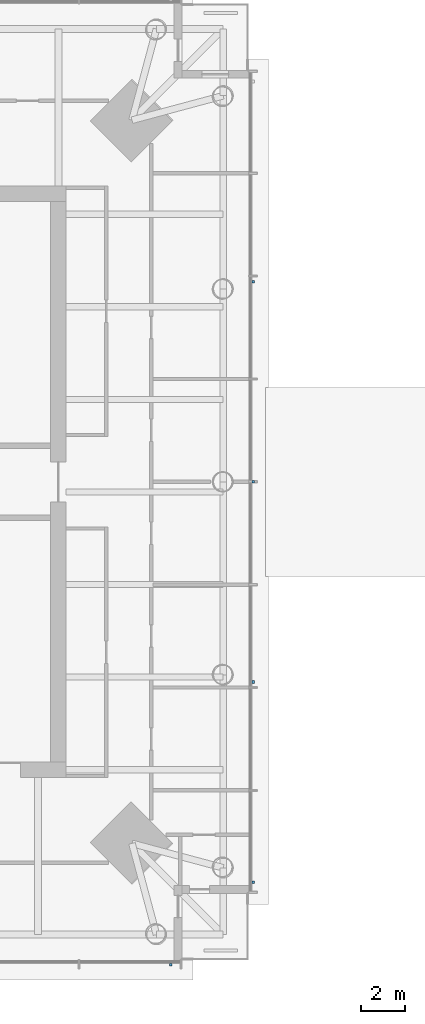
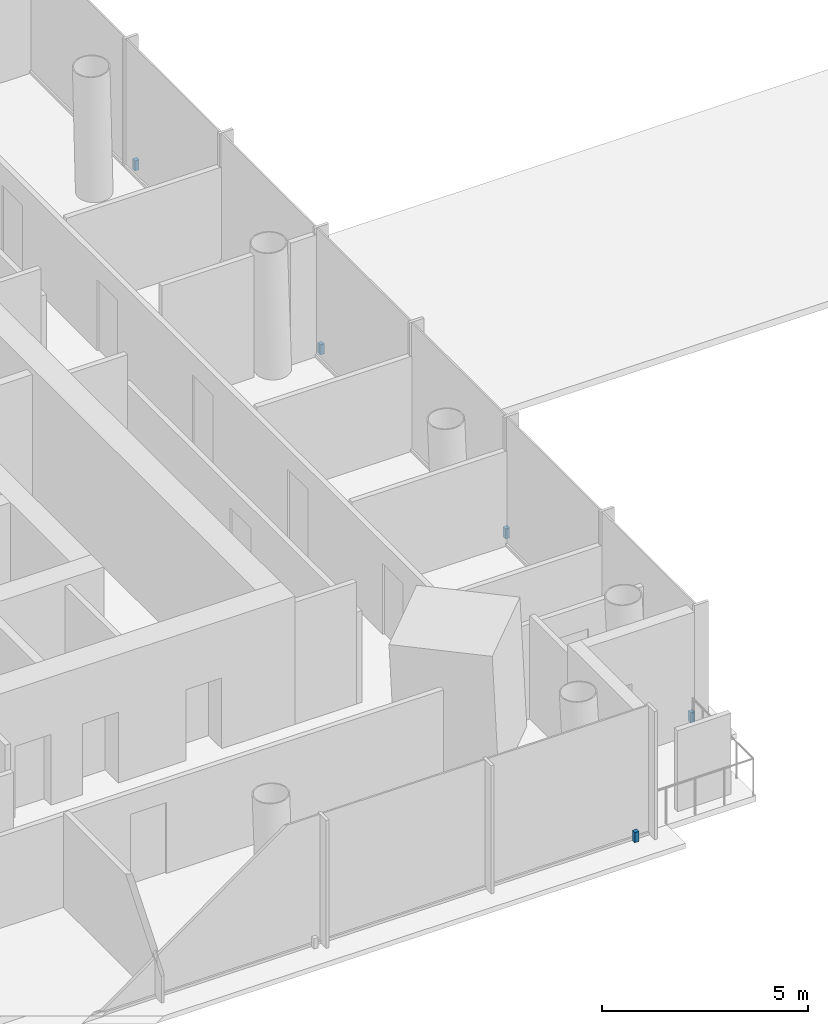
# One storey, part 11 of 16: 5 discrete accessories.
"""IFC4 building model written with IfcOpenShell, lengths in metres."""

from ifc_helpers import new_model, si_unit, direction, frame, origin, origin_2d, place, context, subcontext, project, spatial, rectangle, extrude, material, type_object, element, save


model = new_model("IFC4")

# Units and contexts
model_context = context("Model", 3, precision=1e-05, world=origin(), true_north=direction((0.0, 1.0)))
body_context = subcontext(model_context, "Body", "Model", "MODEL_VIEW")
ifc_project = project(units=[si_unit("LENGTHUNIT", "METRE"), si_unit("AREAUNIT", "SQUARE_METRE"), si_unit("VOLUMEUNIT", "CUBIC_METRE"), si_unit("PLANEANGLEUNIT", "RADIAN"), si_unit("MASSUNIT", "GRAM", prefix="KILO")], contexts=[model_context])

# Site, building, storey
site_placement = place(None, origin())
site = spatial("IfcSite", under=ifc_project, at=site_placement, CompositionType="ELEMENT")
building_placement = place(site_placement, origin())
building = spatial("IfcBuilding", under=site, at=building_placement, Name="Ostroluk Exchange", CompositionType="ELEMENT")
storey_placement = place(building_placement, frame((0.0, 0.0, 135.0)))
storey = spatial("IfcBuildingStorey", under=building, at=storey_placement, Name="L34", CompositionType="ELEMENT", Elevation=135.0)

# Discrete accessories
ifc_material = material(Name="Stainless steel", Category="steel")
discrete_accessory_type = type_object("IfcDiscreteAccessoryType", Name="Fall-arrest anchor PN-EN 795 type C", PredefinedType="USERDEFINED", material=ifc_material)
for number, where, z_axis, x_axis, name in (
    (1, (63.0, 24.2900390625, 0.0), (0.0, 0.0, 1.0), (1.0, 0.0, 0.0), "Fall-arrest anchor L34 south 5"),
    (2, (66.7099609375, 28.0, 0.0), (0.0, 0.0, 1.0), (1.0, 0.0, 0.0), "Fall-arrest anchor L34 east 1"),
    (3, (66.7099609375, 37.0, 0.0), (0.0, 0.0, 1.0), (1.0, 0.0, 0.0), "Fall-arrest anchor L34 east 2"),
    (4, (66.7099609375, 46.0, 0.0), (0.0, 0.0, 1.0), (1.0, 0.0, 0.0), "Fall-arrest anchor L34 east 3"),
    (5, (66.7099609375, 55.0, 0.0), (0.0, 0.0, 1.0), (1.0, 0.0, 0.0), "Fall-arrest anchor L34 east 4"),
):
    element("IfcDiscreteAccessory", number, at=place(storey_placement, frame(where, z_axis=z_axis, x_axis=x_axis)), inside=storey, type_object=discrete_accessory_type, Name=name, ObjectType="FALL ARREST ANCHOR", PredefinedType="USERDEFINED", context=body_context, shape_type="SweptSolid", body=[
        extrude(rectangle(XDim=0.1201171875, YDim=0.1201171875, at=origin_2d()), origin(), (0.0, 0.0, 1.0), 0.300048828125),
    ])

save(model, "model.ifc")
